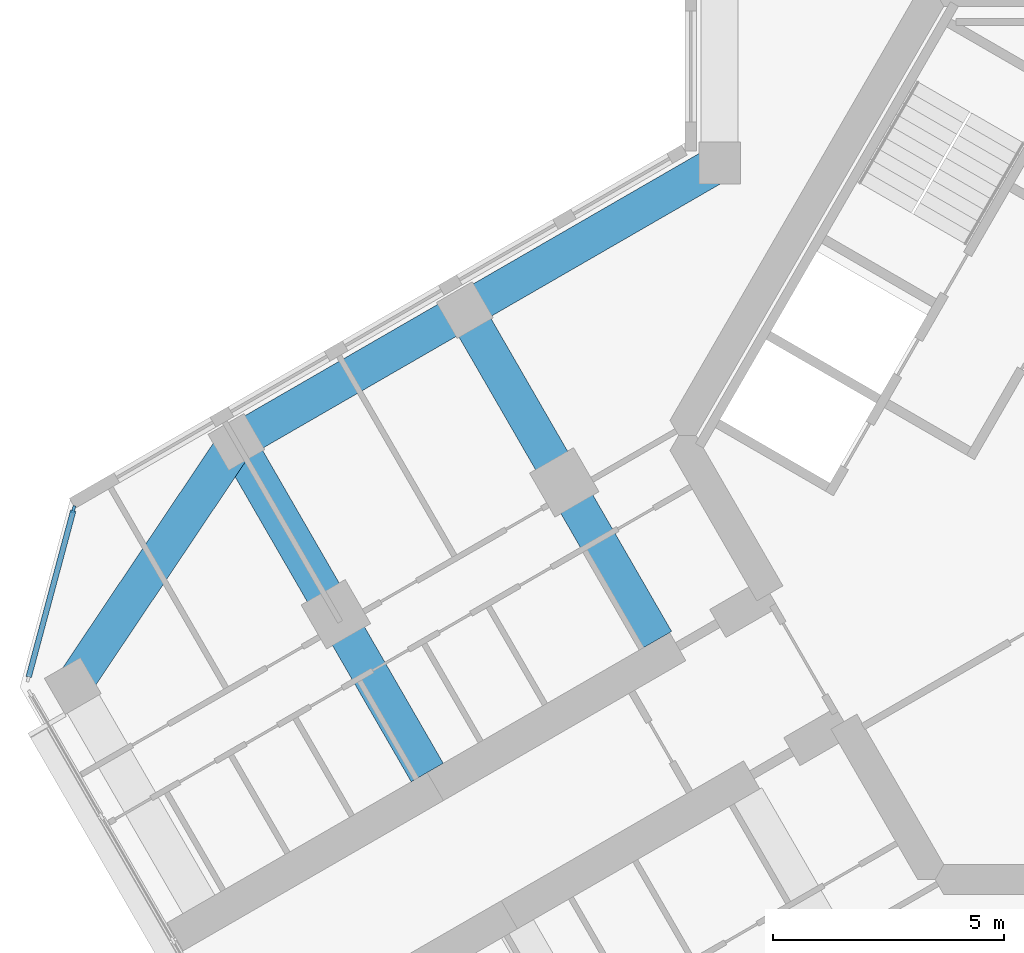
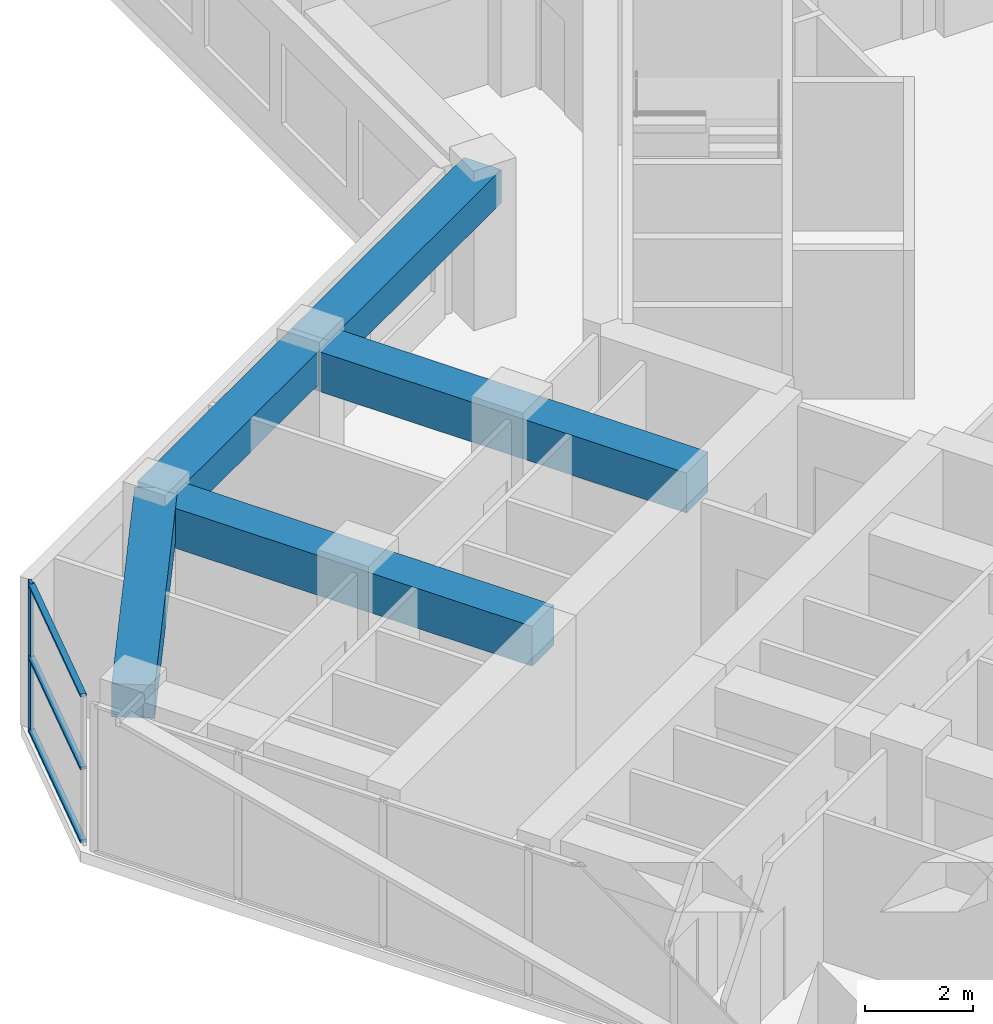
# One storey, part 3 of 16: 5 beams, 4 members, 1 element without a shape of its own.
"""IFC4 building model written with IfcOpenShell, lengths in metres."""

from ifc_helpers import new_model, si_unit, direction, frame, origin, origin_2d, place, context, subcontext, project, spatial, rectangle, extrude, material, material_profile, profile_set, type_object, element, aggregate, save


model = new_model("IFC4")

# Units and contexts
model_context = context("Model", 3, precision=1e-05, world=origin(), true_north=direction((0.0, 1.0)))
body_context = subcontext(model_context, "Body", "Model", "MODEL_VIEW")
ifc_project = project(units=[si_unit("LENGTHUNIT", "METRE"), si_unit("AREAUNIT", "SQUARE_METRE"), si_unit("VOLUMEUNIT", "CUBIC_METRE"), si_unit("PLANEANGLEUNIT", "RADIAN"), si_unit("MASSUNIT", "GRAM", prefix="KILO")], contexts=[model_context])

# Site, building, storey
site_placement = place(None, origin())
site = spatial("IfcSite", under=ifc_project, at=site_placement, CompositionType="ELEMENT")
building_placement = place(site_placement, origin())
building = spatial("IfcBuilding", under=site, at=building_placement, Name="Kosmar Iwan School Tower", CompositionType="ELEMENT")
storey_placement = place(building_placement, frame((0.0, 0.0, 219.0)))
storey = spatial("IfcBuildingStorey", under=building, at=storey_placement, Name="L55", CompositionType="ELEMENT", Elevation=219.0)

# Curtain wall, member
ifc_material_1 = material(Name="Dark glass in black aluminium frame", Category="aluminium")
curtain_wall_type = type_object("IfcCurtainWallType", Name="Chamfer curtain wall dark glass", PredefinedType="USERDEFINED", material=ifc_material_1)
curtain_wall_placement = place(storey_placement, origin())
curtain_wall = element("IfcCurtainWall", 1, at=curtain_wall_placement, inside=storey, type_object=curtain_wall_type, Name="Curtain wall L55-F10", ObjectType="FACETED CURTAIN WALL", PredefinedType="USERDEFINED")
ifc_material_2 = material(Name="Black anodised aluminium", Category="aluminium")
ifc_material_profile_1 = material_profile(ifc_material_2, rectangle(XDim=0.06005859375, YDim=0.159912109375, at=origin_2d()), Name="MULLION 60x160")
ifc_profile_set_1 = profile_set([ifc_material_profile_1], Name="Black anodised aluminium")
member_type_1 = type_object("IfcMemberType", Name="Mullion 60x160", PredefinedType="MULLION", material=ifc_profile_set_1)
member_1_placement = place(storey_placement, frame((-24.163818359375, -1.59814453125, 0.0), z_axis=(0.0, 0.0, 1.0), x_axis=(0.965925875495, -0.258818861462, 0.0)))
member_1 = element("IfcMember", 2, at=member_1_placement, type_object=member_type_1, Name="CW2 mullion 1", PredefinedType="MULLION", context=body_context, shape_type="SweptSolid", body=[
    extrude(rectangle(XDim=0.06005859375, YDim=0.159912109375, at=origin_2d()), origin(), (0.0, 0.0, 1.0), 3.35009765625),
])

# Beams
ifc_material_3 = material(Name="Concrete C50/60", Category="concrete")
ifc_material_profile_2 = material_profile(ifc_material_3, rectangle(XDim=0.800048828125, YDim=0.75, at=origin_2d()), Name="RC 800x750")
ifc_profile_set_2 = profile_set([ifc_material_profile_2], Name="Concrete C50/60")
beam_type_1 = type_object("IfcBeamType", Name="RC edge beam 800x750", PredefinedType="BEAM", material=ifc_profile_set_2)
beam_1_placement = place(storey_placement, frame((-10.199951171875, 5.888916015625, 2.97509765625), z_axis=(-0.866030912664, -0.49999045822, 0.0), x_axis=(0.49999045822, -0.866030912664, 0.0)))
element("IfcBeam", 3, at=beam_1_placement, inside=storey, type_object=beam_type_1, Name="Edge beam BR1", PredefinedType="BEAM", context=body_context, shape_type="SweptSolid", body=[
    extrude(rectangle(XDim=0.800048828125, YDim=0.75, at=origin_2d()), origin(), (0.0, 0.0, 1.0), 6.36083984375),
])
beam_2_placement = place(storey_placement, frame((-15.708740234375, 2.70849609375, 2.97509765625), z_axis=(-0.866025820012, -0.499999279071, 0.0), x_axis=(0.499999279071, -0.866025820012, 0.0)))
element("IfcBeam", 4, at=beam_2_placement, inside=storey, type_object=beam_type_1, Name="Edge beam BR2", PredefinedType="BEAM", context=body_context, shape_type="SweptSolid", body=[
    extrude(rectangle(XDim=0.800048828125, YDim=0.75, at=origin_2d()), origin(), (0.0, 0.0, 1.0), 5.7001953125),
])
ifc_material_4 = material(Name="Concrete C50/60", Category="concrete")
ifc_material_profile_3 = material_profile(ifc_material_4, rectangle(XDim=0.800048828125, YDim=0.75, at=origin_2d()), Name="RC 800x750")
ifc_profile_set_3 = profile_set([ifc_material_profile_3], Name="Concrete C50/60")
beam_type_2 = type_object("IfcBeamType", Name="RC tip beam 800x750", PredefinedType="BEAM", material=ifc_profile_set_3)
beam_3_placement = place(storey_placement, frame((-20.645263671875, -0.1416015625, 2.97509765625), z_axis=(-0.556827604145, -0.83062808721, 0.0), x_axis=(0.83062808721, -0.556827604145, 0.0)))
element("IfcBeam", 5, at=beam_3_placement, inside=storey, type_object=beam_type_2, Name="Tip beam BR", PredefinedType="BEAM", context=body_context, shape_type="SweptSolid", body=[
    extrude(rectangle(XDim=0.800048828125, YDim=0.75, at=origin_2d()), origin(), (0.0, 0.0, 1.0), 6.3505859375),
])
ifc_material_5 = material(Name="Concrete C50/60", Category="concrete")
ifc_material_profile_4 = material_profile(ifc_material_5, rectangle(XDim=0.800048828125, YDim=0.89990234375, at=origin_2d()), Name="RC 800x900")
ifc_profile_set_4 = profile_set([ifc_material_profile_4], Name="Concrete C50/60")
beam_type_3 = type_object("IfcBeamType", Name="RC transverse beam 800x900", PredefinedType="BEAM", material=ifc_profile_set_4)
beam_4_placement = place(storey_placement, frame((-15.708740234375, 2.70849609375, 2.89990234375), z_axis=(0.499996545922, -0.866027397988, 0.0), x_axis=(0.866027397988, 0.499996545922, 0.0)))
element("IfcBeam", 6, at=beam_4_placement, inside=storey, type_object=beam_type_3, Name="Transverse beam BR1", PredefinedType="BEAM", context=body_context, shape_type="SweptSolid", body=[
    extrude(rectangle(XDim=0.800048828125, YDim=0.89990234375, at=origin_2d()), origin(), (0.0, 0.0, 1.0), 8.25),
])
beam_5_placement = place(storey_placement, frame((-20.645263671875, -0.1416015625, 2.89990234375), z_axis=(0.500009360108, -0.866019999656, 0.0), x_axis=(0.866019999656, 0.500009360108, 0.0)))
element("IfcBeam", 7, at=beam_5_placement, inside=storey, type_object=beam_type_3, Name="Transverse beam BR2", PredefinedType="BEAM", context=body_context, shape_type="SweptSolid", body=[
    extrude(rectangle(XDim=0.800048828125, YDim=0.89990234375, at=origin_2d()), origin(), (0.0, 0.0, 1.0), 8.249755859375),
])

# Member
ifc_material_6 = material(Name="Black anodised aluminium", Category="aluminium")
ifc_material_profile_5 = material_profile(ifc_material_6, rectangle(XDim=0.1201171875, YDim=0.06005859375, at=origin_2d()), Name="TRANSOM 60x120")
ifc_profile_set_5 = profile_set([ifc_material_profile_5], Name="Black anodised aluminium")
member_type_2 = type_object("IfcMemberType", Name="Transom 60x120", PredefinedType="USERDEFINED", material=ifc_profile_set_5)
member_2_placement = place(storey_placement, frame((-24.17138671875, -1.627197265625, 0.030029296875), z_axis=(-0.258843273983, -0.965919333854, 0.0), x_axis=(0.965919333854, -0.258843273983, 0.0)))
member_2 = element("IfcMember", 8, at=member_2_placement, type_object=member_type_2, Name="CW2 transom 1.1", ObjectType="TRANSOM", PredefinedType="USERDEFINED", context=body_context, shape_type="SweptSolid", body=[
    extrude(rectangle(XDim=0.1201171875, YDim=0.06005859375, at=origin_2d()), origin(), (0.0, 0.0, 1.0), 3.718994140625),
])

member_3_placement = place(storey_placement, frame((-24.17138671875, -1.627197265625, 1.675048828125), z_axis=(-0.258843273983, -0.965919333854, 0.0), x_axis=(0.965919333854, -0.258843273983, 0.0)))
member_3 = element("IfcMember", 9, at=member_3_placement, type_object=member_type_2, Name="CW2 transom 1.2", ObjectType="TRANSOM", PredefinedType="USERDEFINED", context=body_context, shape_type="SweptSolid", body=[
    extrude(rectangle(XDim=0.1201171875, YDim=0.06005859375, at=origin_2d()), origin(), (0.0, 0.0, 1.0), 3.718994140625),
])

member_4_placement = place(storey_placement, frame((-24.17138671875, -1.627197265625, 3.320068359375), z_axis=(-0.258843273983, -0.965919333854, 0.0), x_axis=(0.965919333854, -0.258843273983, 0.0)))
member_4 = element("IfcMember", 10, at=member_4_placement, type_object=member_type_2, Name="CW2 transom 1.3", ObjectType="TRANSOM", PredefinedType="USERDEFINED", context=body_context, shape_type="SweptSolid", body=[
    extrude(rectangle(XDim=0.1201171875, YDim=0.06005859375, at=origin_2d()), origin(), (0.0, 0.0, 1.0), 3.718994140625),
])

aggregate(curtain_wall, [member_1, member_2, member_3, member_4])

save(model, "model.ifc")
